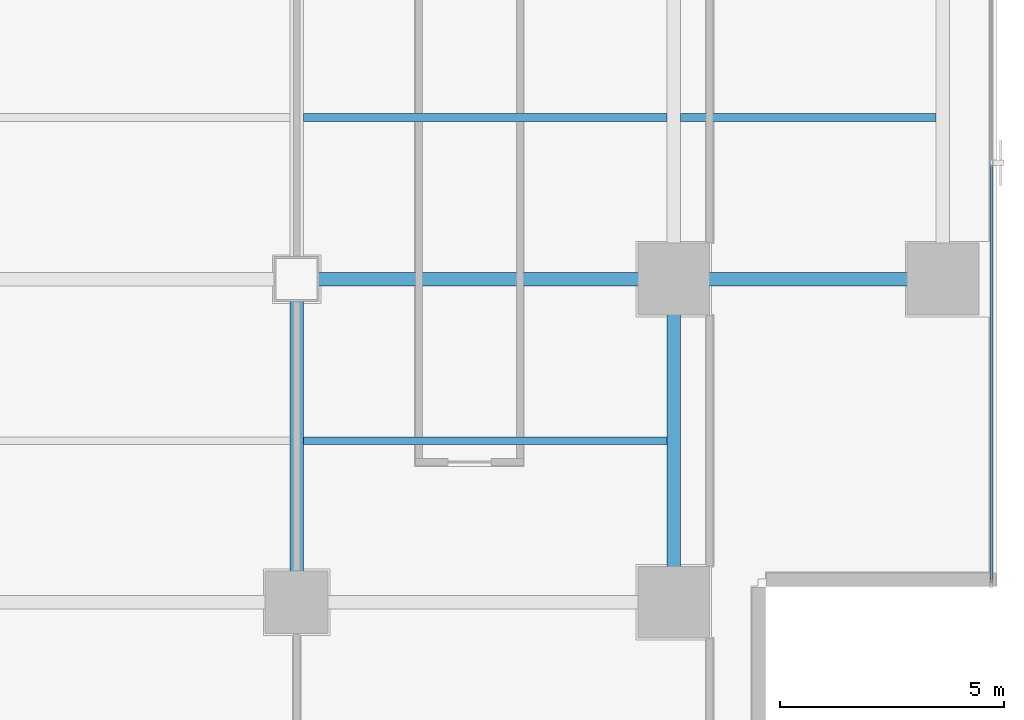
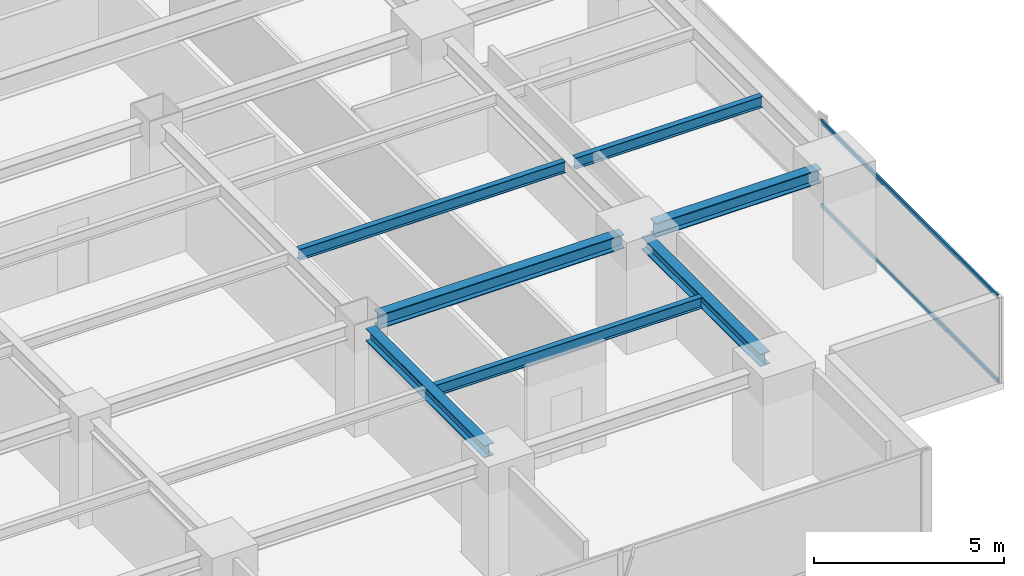
# One storey, part 10 of 28: 7 beams, 2 members, 1 element without a shape of its own.
"""IFC4 building model written with IfcOpenShell, lengths in metres."""

from ifc_helpers import new_model, si_unit, direction, frame, origin, origin_2d, place, context, subcontext, project, spatial, hollow_rectangle, i_section, extrude, source, transform, mapped, material, layer, layer_set, material_profile, profile_set, type_object, element, aggregate, save


model = new_model("IFC4")

# Units and contexts
model_context = context("Model", 3, precision=1e-05, world=origin(), true_north=direction((0.0, 1.0)))
body_context = subcontext(model_context, "Body", "Model", "MODEL_VIEW")
ifc_project = project(units=[si_unit("LENGTHUNIT", "METRE"), si_unit("AREAUNIT", "SQUARE_METRE"), si_unit("VOLUMEUNIT", "CUBIC_METRE"), si_unit("PLANEANGLEUNIT", "RADIAN"), si_unit("MASSUNIT", "GRAM", prefix="KILO")], contexts=[model_context])

# Site, building, storey
site_placement = place(None, origin())
site = spatial("IfcSite", under=ifc_project, at=site_placement, CompositionType="ELEMENT")
building_placement = place(site_placement, origin())
building = spatial("IfcBuilding", under=site, at=building_placement, Name="Sumidabori Civic Tower", CompositionType="ELEMENT")
storey_placement = place(building_placement, frame((0.0, 0.0, 146.0)))
storey = spatial("IfcBuildingStorey", under=building, at=storey_placement, Name="L37", CompositionType="ELEMENT", Elevation=146.0)

# Beams
ifc_material_1 = material(Name="Steel SN490", Category="steel")
ifc_material_profile_1 = material_profile(ifc_material_1, i_section(OverallWidth=0.300048828125, OverallDepth=0.39990234375, WebThickness=0.013427734375, FlangeThickness=0.02392578125, at=origin_2d()), Name="HE 400 B")
ifc_profile_set_1 = profile_set([ifc_material_profile_1], Name="Steel SN490")
beam_type_1 = type_object("IfcBeamType", Name="BM-GIRD-400", PredefinedType="BEAM", material=ifc_profile_set_1)
shared_shape_1 = source(origin(), body_context, "Body", "SweptSolid", [
    extrude(i_section(OverallWidth=0.300048828125, OverallDepth=0.39990234375, WebThickness=0.013427734375, FlangeThickness=0.02392578125, at=origin_2d()), origin(), (0.0, 0.0, 1.0), 6.239990234375),
])
for number, where, z_axis, x_axis, name in (
    (1, (8.39990234375, -17.52001953125, 3.179931640625), (0.0, 1.0, 0.0), (-1.0, 0.0, 0.0), "Primary Girder L37 GY-30"),
    (2, (16.800048828125, -17.52001953125, 3.179931640625), (0.0, 1.0, 0.0), (-1.0, 0.0, 0.0), "Primary Girder L37 GY-32"),
):
    element("IfcBeam", number, at=place(storey_placement, frame(where, z_axis=z_axis, x_axis=x_axis)), inside=storey, type_object=beam_type_1, Name=name, PredefinedType="BEAM", context=body_context, shape_type="MappedRepresentation", body=[
        mapped(shared_shape_1, transform((0.0, 0.0, 0.0), x_axis=(1.0, 0.0, 0.0), y_axis=(0.0, 1.0, 0.0), z_axis=(0.0, 0.0, 1.0), scale=1.0)),
    ])
ifc_material_profile_2 = material_profile(ifc_material_1, i_section(OverallWidth=0.169921875, OverallDepth=0.360107421875, WebThickness=0.008056640625, FlangeThickness=0.0126953125, at=origin_2d()), Name="IPE 360")
ifc_profile_set_2 = profile_set([ifc_material_profile_2], Name="Steel SN490")
beam_type_2 = type_object("IfcBeamType", Name="BM-JST-360", PredefinedType="JOIST", material=ifc_profile_set_2)
shared_shape_2 = source(origin(), body_context, "Body", "SweptSolid", [
    extrude(i_section(OverallWidth=0.169921875, OverallDepth=0.360107421875, WebThickness=0.008056640625, FlangeThickness=0.0126953125, at=origin_2d()), origin(), (0.0, 0.0, 1.0), 5.699951171875),
])
beam_1_placement = place(storey_placement, frame((16.949951171875, -7.199951171875, 3.199951171875), z_axis=(1.0, 0.0, 0.0), x_axis=(0.0, 1.0, 0.0)))
element("IfcBeam", 3, at=beam_1_placement, inside=storey, type_object=beam_type_2, Name="Outer Bay Floor Joist L37 JSTO-40", PredefinedType="JOIST", context=body_context, shape_type="MappedRepresentation", body=[
    mapped(shared_shape_2, transform((0.0, 0.0, 0.0), x_axis=(1.0, 0.0, 0.0), y_axis=(0.0, 1.0, 0.0), z_axis=(0.0, 0.0, 1.0), scale=1.0)),
])
shared_shape_3 = source(origin(), body_context, "Body", "SweptSolid", [
    extrude(i_section(OverallWidth=0.169921875, OverallDepth=0.360107421875, WebThickness=0.008056640625, FlangeThickness=0.0126953125, at=origin_2d()), origin(), (0.0, 0.0, 1.0), 8.099853515625),
])
for number, where, z_axis, x_axis, name in (
    (4, (8.550048828125, -14.39990234375, 3.199951171875), (1.0, 0.0, 0.0), (0.0, 1.0, 0.0), "South Bay Floor Joist L37 JSTS-52"),
    (5, (8.550048828125, -7.199951171875, 3.199951171875), (1.0, 0.0, 0.0), (0.0, 1.0, 0.0), "South Bay Floor Joist L37 JSTS-56"),
):
    element("IfcBeam", number, at=place(storey_placement, frame(where, z_axis=z_axis, x_axis=x_axis)), inside=storey, type_object=beam_type_2, Name=name, PredefinedType="JOIST", context=body_context, shape_type="MappedRepresentation", body=[
        mapped(shared_shape_3, transform((0.0, 0.0, 0.0), x_axis=(1.0, 0.0, 0.0), y_axis=(0.0, 1.0, 0.0), z_axis=(0.0, 0.0, 1.0), scale=1.0)),
    ])
ifc_material_profile_3 = material_profile(ifc_material_1, i_section(OverallWidth=0.300048828125, OverallDepth=0.449951171875, WebThickness=0.013916015625, FlangeThickness=0.02587890625, at=origin_2d()), Name="HE 450 B")
ifc_profile_set_3 = profile_set([ifc_material_profile_3], Name="Steel SN490")
beam_type_3 = type_object("IfcBeamType", Name="BM-GIRD-450", PredefinedType="BEAM", material=ifc_profile_set_3)
shared_shape_4 = source(origin(), body_context, "Body", "SweptSolid", [
    extrude(i_section(OverallWidth=0.300048828125, OverallDepth=0.449951171875, WebThickness=0.013916015625, FlangeThickness=0.02587890625, at=origin_2d()), origin(), (0.0, 0.0, 1.0), 7.440185546875),
])
beam_2_placement = place(storey_placement, frame((8.8798828125, -10.800048828125, 3.155029296875), z_axis=(1.0, 0.0, 0.0), x_axis=(0.0, 1.0, 0.0)))
element("IfcBeam", 6, at=beam_2_placement, inside=storey, type_object=beam_type_3, Name="Primary Girder L37 GX-09", PredefinedType="BEAM", context=body_context, shape_type="MappedRepresentation", body=[
    mapped(shared_shape_4, transform((0.0, 0.0, 0.0), x_axis=(1.0, 0.0, 0.0), y_axis=(0.0, 1.0, 0.0), z_axis=(0.0, 0.0, 1.0), scale=1.0)),
])
shared_shape_5 = source(origin(), body_context, "Body", "SweptSolid", [
    extrude(i_section(OverallWidth=0.300048828125, OverallDepth=0.449951171875, WebThickness=0.013916015625, FlangeThickness=0.02587890625, at=origin_2d()), origin(), (0.0, 0.0, 1.0), 5.0400390625),
])
beam_3_placement = place(storey_placement, frame((17.280029296875, -10.800048828125, 3.155029296875), z_axis=(1.0, 0.0, 0.0), x_axis=(0.0, 1.0, 0.0)))
element("IfcBeam", 7, at=beam_3_placement, inside=storey, type_object=beam_type_3, Name="Primary Girder L37 GX-10", PredefinedType="BEAM", context=body_context, shape_type="MappedRepresentation", body=[
    mapped(shared_shape_5, transform((0.0, 0.0, 0.0), x_axis=(1.0, 0.0, 0.0), y_axis=(0.0, 1.0, 0.0), z_axis=(0.0, 0.0, 1.0), scale=1.0)),
])

# Curtain wall, members
ifc_material_2 = material(Name="Anodised Bronze Aluminium AW-6063-T6", Category="aluminium")
ifc_layer = layer(ifc_material_2, 0.179931640625, Name="Anodised Bronze Aluminium AW-6063-T6")
ifc_layer_set = layer_set([ifc_layer], Name="Anodised Bronze Aluminium AW-6063-T6")
curtain_wall_type = type_object("IfcCurtainWallType", Name="CW-SYS-3", PredefinedType="NOTDEFINED", material=ifc_layer_set)
curtain_wall_placement = place(storey_placement, origin())
curtain_wall = element("IfcCurtainWall", 8, at=curtain_wall_placement, inside=storey, type_object=curtain_wall_type, Name="Curtain Wall CW:L37:R04", PredefinedType="NOTDEFINED")
ifc_material_profile_4 = material_profile(ifc_material_2, hollow_rectangle(XDim=0.06005859375, YDim=0.1298828125, WallThickness=0.0048828125, at=origin_2d()), Name="ALU TRANSOM 130x60")
ifc_profile_set_4 = profile_set([ifc_material_profile_4], Name="Anodised Bronze Aluminium AW-6063-T6")
member_type = type_object("IfcMemberType", Name="CW-TRN-130", PredefinedType="USERDEFINED", material=ifc_profile_set_4)
shared_shape_6 = source(origin(), body_context, "Body", "SweptSolid", [
    extrude(hollow_rectangle(XDim=0.06005859375, YDim=0.1298828125, WallThickness=0.0048828125, at=origin_2d()), origin(), (0.0, 0.0, 1.0), 9.3125),
])
member_1_placement = place(storey_placement, frame((23.8798828125, -17.554931640625, 0.030029296875), z_axis=(0.0, 1.0, 0.0), x_axis=(-1.0, 0.0, 0.0)))
member_1 = element("IfcMember", 9, at=member_1_placement, type_object=member_type, Name="CW-3 transom 1.1", ObjectType="TRANSOM", PredefinedType="USERDEFINED", context=body_context, shape_type="MappedRepresentation", body=[
    mapped(shared_shape_6, transform((0.0, 0.0, 0.0), x_axis=(1.0, 0.0, 0.0), y_axis=(0.0, 1.0, 0.0), z_axis=(0.0, 0.0, 1.0), scale=1.0)),
])
member_2_placement = place(storey_placement, frame((23.8798828125, -17.554931640625, 2.72998046875), z_axis=(0.0, 1.0, 0.0), x_axis=(-1.0, 0.0, 0.0)))
member_2 = element("IfcMember", 10, at=member_2_placement, type_object=member_type, Name="CW-3 transom 1.2", ObjectType="TRANSOM", PredefinedType="USERDEFINED", context=body_context, shape_type="MappedRepresentation", body=[
    mapped(shared_shape_6, transform((0.0, 0.0, 0.0), x_axis=(1.0, 0.0, 0.0), y_axis=(0.0, 1.0, 0.0), z_axis=(0.0, 0.0, 1.0), scale=1.0)),
])
aggregate(curtain_wall, [member_1, member_2])

save(model, "model.ifc")
